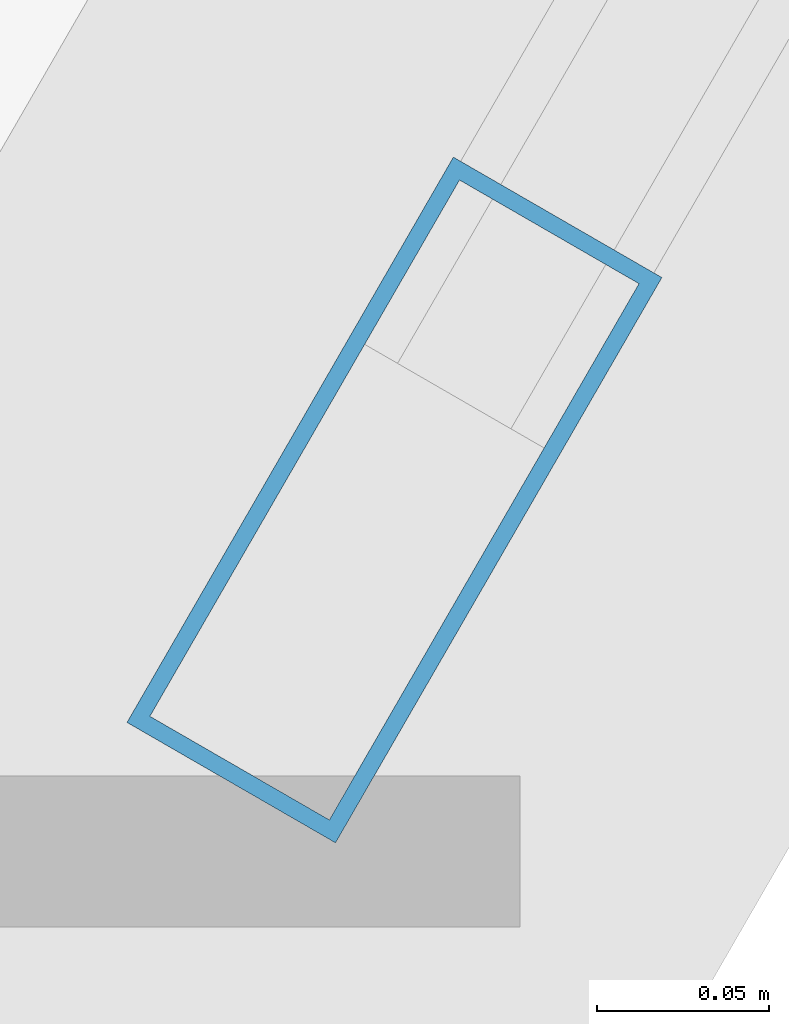
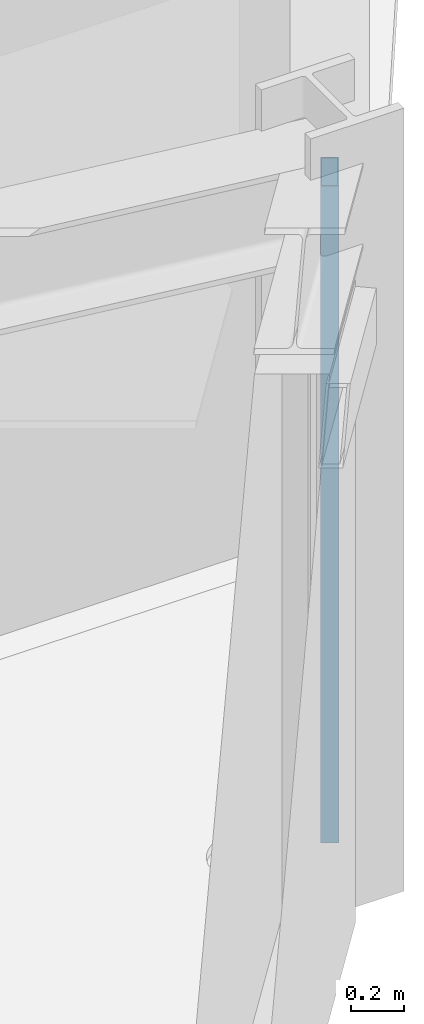
# One storey, part 4 of 16: 1 member, 1 element without a shape of its own.
"""IFC4 building model written with IfcOpenShell, lengths in metres."""

from ifc_helpers import new_model, si_unit, derived_unit, direction, frame, origin, origin_2d, place, context, subcontext, project, spatial, hollow_rectangle, extrude, source, transform, mapped, material, layer, layer_set, material_profile, profile_set, type_object, element, aggregate, save


model = new_model("IFC4")

# Units and contexts
model_context = context("Model", 3, precision=1e-05, world=origin(), true_north=direction((0.0, 1.0)))
body_context = subcontext(model_context, "Body", "Model", "MODEL_VIEW")
ifc_project = project(units=[si_unit("LENGTHUNIT", "METRE"), si_unit("AREAUNIT", "SQUARE_METRE"), si_unit("VOLUMEUNIT", "CUBIC_METRE"), si_unit("PLANEANGLEUNIT", "RADIAN"), si_unit("MASSUNIT", "GRAM", prefix="KILO"), derived_unit("THERMALTRANSMITTANCEUNIT", [(si_unit("POWERUNIT", "WATT"), 1), (si_unit("LENGTHUNIT", "METRE"), -2), (si_unit("THERMODYNAMICTEMPERATUREUNIT", "KELVIN"), -1)])], contexts=[model_context])

# Site, building, storey
site_placement = place(None, origin())
site = spatial("IfcSite", under=ifc_project, at=site_placement, CompositionType="ELEMENT")
building_placement = place(site_placement, origin())
building = spatial("IfcBuilding", under=site, at=building_placement, Name="Korsvarv Bourse and Concert Hall", CompositionType="ELEMENT")
storey_placement = place(building_placement, frame((0.0, 0.0, 231.0)))
storey = spatial("IfcBuildingStorey", under=building, at=storey_placement, Name="L60", CompositionType="ELEMENT", Elevation=231.0)

# Curtain wall, member
ifc_material_1 = material(Name="Anodised aluminium and triple low-E glazing", Category="glass")
ifc_layer = layer(ifc_material_1, 0.199951171875)
ifc_layer_set = layer_set([ifc_layer], Name="Anodised aluminium and triple low-E glazing")
curtain_wall_type = type_object("IfcCurtainWallType", Name="CW-SYS-3", PredefinedType="NOTDEFINED", material=ifc_layer_set)
curtain_wall_placement = place(storey_placement, origin())
curtain_wall = element("IfcCurtainWall", 1, at=curtain_wall_placement, inside=storey, type_object=curtain_wall_type, Name="L60 CW3 curtain wall CW-L60-F11", PredefinedType="NOTDEFINED")
ifc_material_2 = material(Name="Extruded aluminium EN AW-6063 T66", Category="aluminium")
ifc_material_profile = material_profile(ifc_material_2, hollow_rectangle(XDim=0.070068359375, YDim=0.18994140625, WallThickness=0.0048828125, at=origin_2d()), Name="ALU-M 70x190")
ifc_profile_set = profile_set([ifc_material_profile], Name="Extruded aluminium EN AW-6063 T66")
member_type = type_object("IfcMemberType", Name="CWM-190", PredefinedType="MULLION", material=ifc_profile_set)
shared_shape = source(origin(), body_context, "Body", "SweptSolid", [
    extrude(hollow_rectangle(XDim=0.070068359375, YDim=0.18994140625, WallThickness=0.0048828125, at=origin_2d()), origin(), (0.0, 0.0, 1.0), 3.02001953125),
])
member_placement = place(storey_placement, frame((50.534912109375, 23.418212890625, 0.0), z_axis=(0.0, 0.0, 1.0), x_axis=(-0.86602769294, 0.499996035044, 0.0)))
member = element("IfcMember", 2, at=member_placement, type_object=member_type, Name="CW3 mullion 1", PredefinedType="MULLION", context=body_context, shape_type="MappedRepresentation", body=[
    mapped(shared_shape, transform((0.0, 0.0, 0.0), scale=1.0)),
])
aggregate(curtain_wall, [member])

save(model, "model.ifc")
